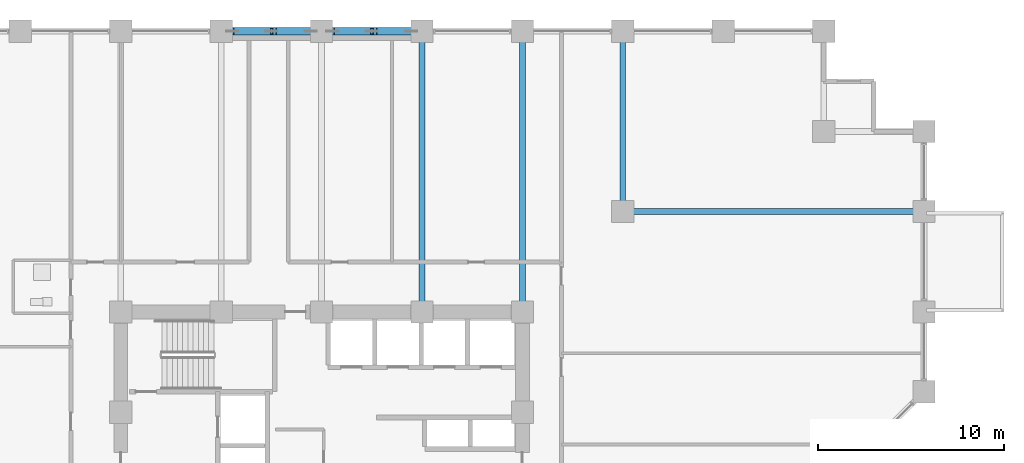
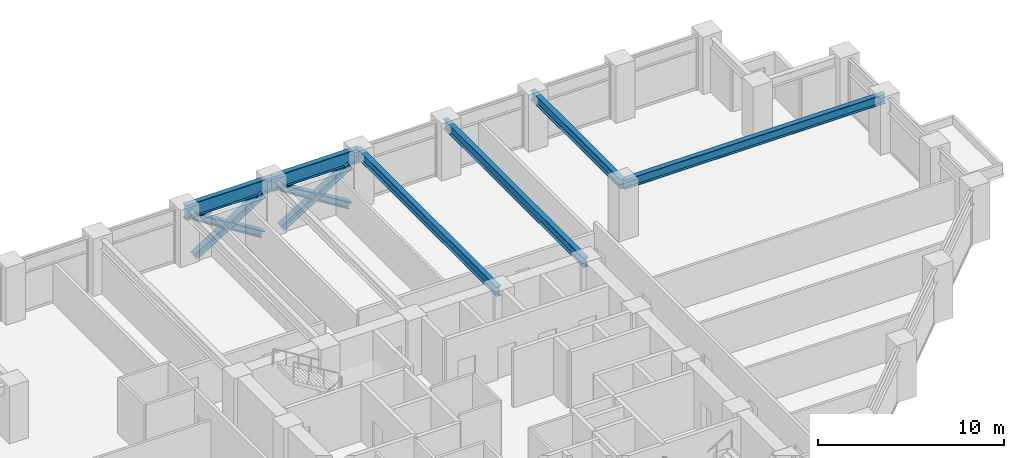
# One storey, part 13 of 26: 6 beams, 6 members.
"""IFC4 building model written with IfcOpenShell, lengths in metres."""

from ifc_helpers import new_model, si_unit, direction, frame, origin, origin_2d, place, context, subcontext, project, spatial, i_section, extrude, material, material_profile, profile_set, type_object, element, save


model = new_model("IFC4")

# Units and contexts
model_context = context("Model", 3, precision=1e-05, world=origin(), true_north=direction((0.0, 1.0)))
body_context = subcontext(model_context, "Body", "Model", "MODEL_VIEW")
ifc_project = project(units=[si_unit("LENGTHUNIT", "METRE"), si_unit("AREAUNIT", "SQUARE_METRE"), si_unit("VOLUMEUNIT", "CUBIC_METRE"), si_unit("PLANEANGLEUNIT", "RADIAN"), si_unit("MASSUNIT", "GRAM", prefix="KILO")], contexts=[model_context])

# Site, building, storey
site_placement = place(None, origin())
site = spatial("IfcSite", under=ifc_project, at=site_placement, CompositionType="ELEMENT")
building_placement = place(site_placement, origin())
building = spatial("IfcBuilding", under=site, at=building_placement, Name="Surkhivell Harbour Commons", CompositionType="ELEMENT")
storey_placement = place(building_placement, frame((0.0, 0.0, 71.25)))
storey = spatial("IfcBuildingStorey", under=building, at=storey_placement, Name="L18", CompositionType="ELEMENT", Elevation=71.25)

# Beams
ifc_material_1 = material(Name="Steel S355", Category="steel")
ifc_material_profile_1 = material_profile(ifc_material_1, i_section(OverallWidth=0.306884765625, OverallDepth=0.6201171875, WebThickness=0.01416015625, FlangeThickness=0.023681640625, at=origin_2d()), Name="UB610x305x179")
ifc_profile_set_1 = profile_set([ifc_material_profile_1], Name="Steel S355")
beam_type_1 = type_object("IfcBeamType", Name="BM-GRD-610A", PredefinedType="BEAM", material=ifc_profile_set_1)
for number, where, z_axis, x_axis, name in (
    (1, (5.39990234375, 10.800048828125, 3.260009765625), (0.0, 1.0, 0.0), (-1.0, 0.0, 0.0), "L18 Floor Girder (5.4,10.8)"),
    (2, (10.800048828125, 10.800048828125, 3.260009765625), (0.0, 1.0, 0.0), (-1.0, 0.0, 0.0), "L18 Floor Girder (10.8,10.8)"),
):
    element("IfcBeam", number, at=place(storey_placement, frame(where, z_axis=z_axis, x_axis=x_axis)), inside=storey, type_object=beam_type_1, Name=name, PredefinedType="BEAM", context=body_context, shape_type="SweptSolid", body=[
        extrude(i_section(OverallWidth=0.306884765625, OverallDepth=0.6201171875, WebThickness=0.01416015625, FlangeThickness=0.023681640625, at=origin_2d()), origin(), (0.0, 0.0, 1.0), 15.099853515625),
    ])
beam_1_placement = place(storey_placement, frame((16.199951171875, 16.199951171875, 3.260009765625), z_axis=(0.0, 1.0, 0.0), x_axis=(-1.0, 0.0, 0.0)))
element("IfcBeam", 3, at=beam_1_placement, inside=storey, type_object=beam_type_1, Name="L18 Floor Girder (16.2,16.2)", PredefinedType="BEAM", context=body_context, shape_type="SweptSolid", body=[
    extrude(i_section(OverallWidth=0.306884765625, OverallDepth=0.6201171875, WebThickness=0.01416015625, FlangeThickness=0.023681640625, at=origin_2d()), origin(), (0.0, 0.0, 1.0), 9.699951171875),
])
beam_2_placement = place(storey_placement, frame((16.199951171875, 16.199951171875, 3.260009765625), z_axis=(1.0, 0.0, 0.0), x_axis=(0.0, 1.0, 0.0)))
element("IfcBeam", 4, at=beam_2_placement, inside=storey, type_object=beam_type_1, Name="L18 Floor Girder (16.2,16.2)", PredefinedType="BEAM", context=body_context, shape_type="SweptSolid", body=[
    extrude(i_section(OverallWidth=0.306884765625, OverallDepth=0.6201171875, WebThickness=0.01416015625, FlangeThickness=0.023681640625, at=origin_2d()), origin(), (0.0, 0.0, 1.0), 16.199951171875),
])
ifc_material_2 = material(Name="Steel S460", Category="steel")
ifc_material_profile_2 = material_profile(ifc_material_2, i_section(OverallWidth=0.30810546875, OverallDepth=0.927001953125, WebThickness=0.01953125, FlangeThickness=0.031982421875, at=origin_2d()), Name="UB914x305x289")
ifc_profile_set_2 = profile_set([ifc_material_profile_2], Name="Steel S460")
beam_type_2 = type_object("IfcBeamType", Name="BM-SPN-914B", PredefinedType="SPANDREL", material=ifc_profile_set_2)
for number, where, z_axis, x_axis, name in (
    (5, (-5.39990234375, 25.89990234375, 3.1064453125), (1.0, 0.0, 0.0), (0.0, 1.0, 0.0), "L18 Tube Spandrel (-5.4,25.9)"),
    (6, (0.0, 25.89990234375, 3.1064453125), (1.0, 0.0, 0.0), (0.0, 1.0, 0.0), "L18 Tube Spandrel (-0.0,25.9)"),
):
    element("IfcBeam", number, at=place(storey_placement, frame(where, z_axis=z_axis, x_axis=x_axis)), inside=storey, type_object=beam_type_2, Name=name, PredefinedType="SPANDREL", context=body_context, shape_type="SweptSolid", body=[
        extrude(i_section(OverallWidth=0.30810546875, OverallDepth=0.927001953125, WebThickness=0.01953125, FlangeThickness=0.031982421875, at=origin_2d()), origin(), (0.0, 0.0, 1.0), 5.39990234375),
    ])

# Members
ifc_material_profile_3 = material_profile(ifc_material_2, i_section(OverallWidth=0.406005859375, OverallDepth=0.416015625, WebThickness=0.026611328125, FlangeThickness=0.0390625, at=origin_2d()), Name="HD400x382")
ifc_profile_set_3 = profile_set([ifc_material_profile_3], Name="Steel S460")
member_type = type_object("IfcMemberType", Name="MEM-BRC-HD382", PredefinedType="BRACE", material=ifc_profile_set_3)
member_1_placement = place(storey_placement, frame((-4.81494140625, 25.89990234375, 0.008056640625), z_axis=(0.848432685315, 0.0, 0.529303295369), x_axis=(0.0, 1.0, 0.0)))
element("IfcMember", 7, at=member_1_placement, inside=storey, type_object=member_type, Name="L18 Perimeter Mega-Brace MB- 01", PredefinedType="BRACE", context=body_context, shape_type="SweptSolid", body=[
    extrude(i_section(OverallWidth=0.406005859375, OverallDepth=0.416015625, WebThickness=0.026611328125, FlangeThickness=0.0390625, at=origin_2d()), origin(), (0.0, 0.0, 1.0), 4.985595703125),
])
member_2_placement = place(storey_placement, frame((-0.5849609375, 25.89990234375, 0.008056640625), z_axis=(-0.848458555811, 0.0, 0.529261824688), x_axis=(0.0, -1.0, 0.0)))
element("IfcMember", 8, at=member_2_placement, inside=storey, type_object=member_type, Name="L18 Perimeter Mega-Brace MB- 02", PredefinedType="BRACE", context=body_context, shape_type="SweptSolid", body=[
    extrude(i_section(OverallWidth=0.406005859375, OverallDepth=0.416015625, WebThickness=0.026611328125, FlangeThickness=0.0390625, at=origin_2d()), origin(), (0.0, 0.0, 1.0), 2.29296875),
])
member_3_placement = place(storey_placement, frame((-2.869384765625, 25.89990234375, 1.43310546875), z_axis=(-0.848410744023, 0.0, 0.529338463958), x_axis=(0.0, -1.0, 0.0)))
element("IfcMember", 9, at=member_3_placement, inside=storey, type_object=member_type, Name="L18 Perimeter Mega-Brace MB- 03", PredefinedType="BRACE", context=body_context, shape_type="SweptSolid", body=[
    extrude(i_section(OverallWidth=0.406005859375, OverallDepth=0.416015625, WebThickness=0.026611328125, FlangeThickness=0.0390625, at=origin_2d()), origin(), (0.0, 0.0, 1.0), 2.293212890625),
])
member_4_placement = place(storey_placement, frame((0.5849609375, 25.89990234375, 0.008056640625), z_axis=(0.848432685315, 0.0, 0.529303295369), x_axis=(0.0, 1.0, 0.0)))
element("IfcMember", 10, at=member_4_placement, inside=storey, type_object=member_type, Name="L18 Perimeter Mega-Brace MB- 04", PredefinedType="BRACE", context=body_context, shape_type="SweptSolid", body=[
    extrude(i_section(OverallWidth=0.406005859375, OverallDepth=0.416015625, WebThickness=0.026611328125, FlangeThickness=0.0390625, at=origin_2d()), origin(), (0.0, 0.0, 1.0), 4.985595703125),
])
member_5_placement = place(storey_placement, frame((4.81494140625, 25.89990234375, 0.008056640625), z_axis=(-0.848458555811, 0.0, 0.529261824688), x_axis=(0.0, -1.0, 0.0)))
element("IfcMember", 11, at=member_5_placement, inside=storey, type_object=member_type, Name="L18 Perimeter Mega-Brace MB- 05", PredefinedType="BRACE", context=body_context, shape_type="SweptSolid", body=[
    extrude(i_section(OverallWidth=0.406005859375, OverallDepth=0.416015625, WebThickness=0.026611328125, FlangeThickness=0.0390625, at=origin_2d()), origin(), (0.0, 0.0, 1.0), 2.29296875),
])
member_6_placement = place(storey_placement, frame((2.530517578125, 25.89990234375, 1.43310546875), z_axis=(-0.848410744023, 0.0, 0.529338463958), x_axis=(0.0, -1.0, 0.0)))
element("IfcMember", 12, at=member_6_placement, inside=storey, type_object=member_type, Name="L18 Perimeter Mega-Brace MB- 06", PredefinedType="BRACE", context=body_context, shape_type="SweptSolid", body=[
    extrude(i_section(OverallWidth=0.406005859375, OverallDepth=0.416015625, WebThickness=0.026611328125, FlangeThickness=0.0390625, at=origin_2d()), origin(), (0.0, 0.0, 1.0), 2.293212890625),
])

save(model, "model.ifc")
